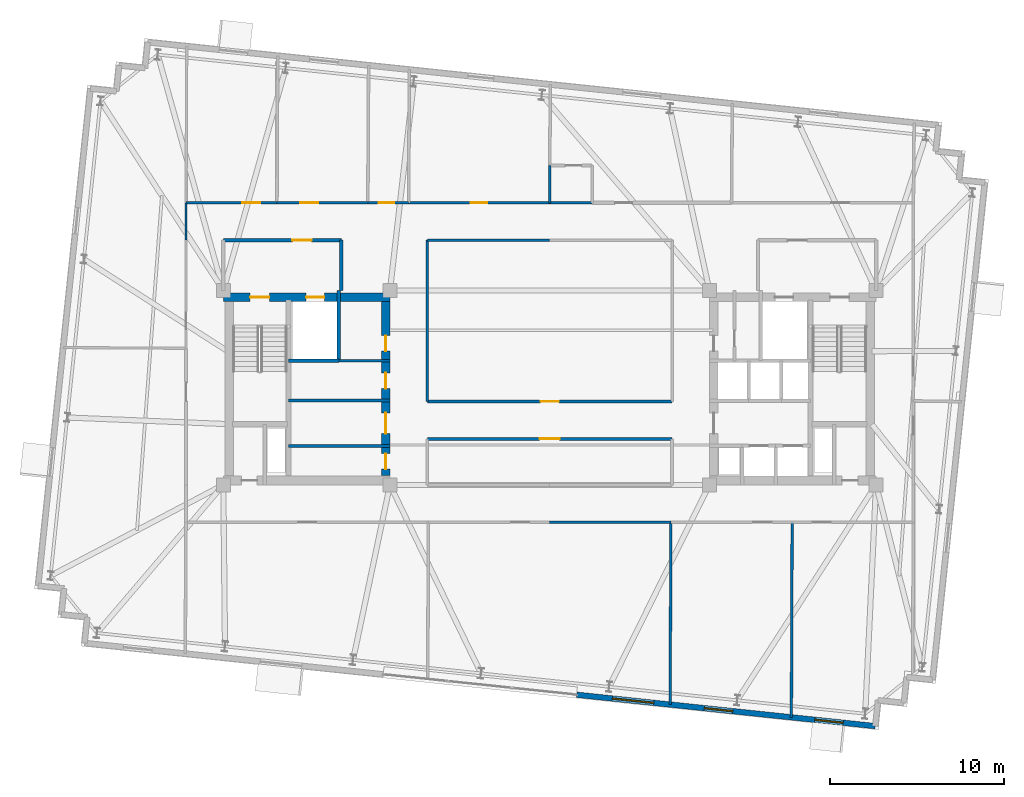
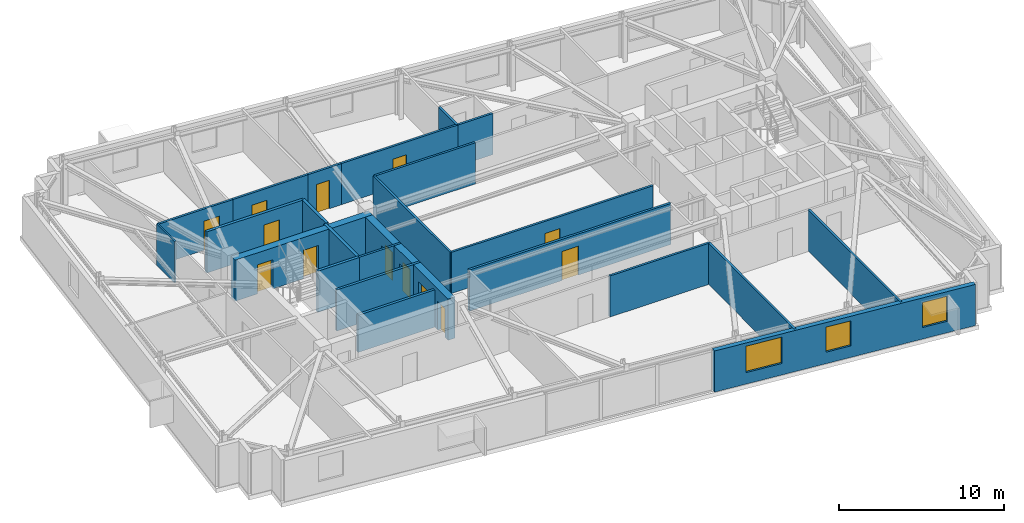
# One storey, part 8 of 13: 24 walls, 13 doors, 3 windows, 16 openings.
"""IFC4 building model written with IfcOpenShell, lengths in metres."""

import ifcopenshell
import ifcopenshell.guid

model = None  # the IFC model being written
_history = None  # IfcOwnerHistory: only IFC2X3 demands one
_inside = {}  # id of a spatial element -> (the spatial element, [elements in it])
_under = {}  # id of a project, library or spatial element -> (it, [spatial elements below it])
_declared = {}  # id of a project -> (the project, [libraries it declares])
_typed = {}  # id of a type object -> (the type object, [elements of that type])
_made_of = {}  # id of a material, layer set ... -> (it, [elements and type objects made of it])


def new_model(schema):
    """Start an empty IFC model of exactly this schema.

    Asked for "IFC4X3", IfcOpenShell would pick the latest addendum, in which some entities
    have other attributes; the version numbers below select the first issue.
    IFC2X3 requires an IfcOwnerHistory on every rooted entity: one is made here for all.
    """
    global model, _history
    if schema == "IFC4X3":
        model = ifcopenshell.file(schema_version=(4, 3, 0, 0))
    else:
        model = ifcopenshell.file(schema=schema)
    _inside.clear()
    _under.clear()
    _declared.clear()
    _typed.clear()
    _made_of.clear()
    _history = None
    if model.schema == "IFC2X3":
        org = make("IfcOrganization", Name="unknown")
        user = make(
            "IfcPersonAndOrganization",
            ThePerson=make("IfcPerson", FamilyName="unknown"),
            TheOrganization=org,
        )
        app = make(
            "IfcApplication",
            ApplicationDeveloper=org,
            Version="unknown",
            ApplicationFullName="unknown",
            ApplicationIdentifier="unknown",
        )
        _history = make(
            "IfcOwnerHistory",
            OwningUser=user,
            OwningApplication=app,
            ChangeAction="ADDED",
            CreationDate=0,
        )
    return model


def make(cls, **values):
    """One entity of the class cls with the attributes given. An attribute that is None is left unset."""
    return model.create_entity(
        cls, **{name: value for name, value in values.items() if value is not None}
    )


def rooted(cls, **values):
    """An entity with a GlobalId (a new one), such as an element, a storey or a relation."""
    return make(cls, GlobalId=ifcopenshell.guid.new(), OwnerHistory=_history, **values)


def si_unit(unit_type, name, prefix=None):
    """IfcSIUnit, for example si_unit("LENGTHUNIT", "METRE", prefix="MILLI")."""
    return make("IfcSIUnit", UnitType=unit_type, Prefix=prefix, Name=name)


def assignment(units):
    """IfcUnitAssignment: the units of a project."""
    return None if units is None else make("IfcUnitAssignment", Units=units)


def point(xyz):
    """IfcCartesianPoint."""
    return None if xyz is None else make("IfcCartesianPoint", Coordinates=xyz)


def direction(xyz):
    """IfcDirection."""
    return None if xyz is None else make("IfcDirection", DirectionRatios=xyz)


def frame(location, z_axis=None, x_axis=None):
    """IfcAxis2Placement3D, a coordinate frame: its origin and axes. An axis left out is left unset."""
    return make(
        "IfcAxis2Placement3D",
        Location=point(location),
        Axis=direction(z_axis),
        RefDirection=direction(x_axis),
    )


def frame_2d(location, x_axis=None):
    """IfcAxis2Placement2D, a coordinate frame in the plane: its origin and x axis."""
    return make(
        "IfcAxis2Placement2D", Location=point(location), RefDirection=direction(x_axis)
    )


def origin():
    """The frame at (0, 0, 0) with its axes left unset."""
    return frame((0.0, 0.0, 0.0))


def place(relative_to, where):
    """IfcLocalPlacement: puts the frame where relative to a parent placement (None: the world)."""
    return make(
        "IfcLocalPlacement", PlacementRelTo=relative_to, RelativePlacement=where
    )


def context(
    kind, dimensions, precision=None, world=None, true_north=None, identifier=None
):
    """IfcGeometricRepresentationContext, for example the 3D "Model" context."""
    return make(
        "IfcGeometricRepresentationContext",
        ContextIdentifier=identifier,
        ContextType=kind,
        CoordinateSpaceDimension=dimensions,
        Precision=precision,
        WorldCoordinateSystem=world,
        TrueNorth=true_north,
    )


def subcontext(parent, identifier, kind, view, scale=None):
    """IfcGeometricRepresentationSubContext, for example "Body" below "Model"."""
    return make(
        "IfcGeometricRepresentationSubContext",
        ContextIdentifier=identifier,
        ContextType=kind,
        ParentContext=parent,
        TargetScale=scale,
        TargetView=view,
    )


def project(units=None, contexts=None):
    """IfcProject with its units and contexts."""
    return rooted(
        "IfcProject",
        Name="project",
        RepresentationContexts=contexts,
        UnitsInContext=assignment(units),
    )


def spatial(cls, under=None, at=None, **own):
    """A site, building, storey or space (cls), placed at a placement, below another one or the project."""
    s = rooted(cls, ObjectPlacement=at, **own)
    if under is not None:
        _under.setdefault(under.id(), (under, []))[1].append(s)
    return s


def profile(cls, at=None, kind="AREA", **sizes):
    """A parametric profile (cls). Its sizes go by their IFC names, for example OverallWidth=200.0."""
    return make(cls, ProfileType=kind, Position=at, **sizes)


def rectangle(**sizes):
    """IfcRectangleProfileDef."""
    return profile("IfcRectangleProfileDef", **sizes)


def extrude(swept, where, along, depth):
    """IfcExtrudedAreaSolid: the profile swept, set in the frame where, extruded along a direction by depth."""
    return make(
        "IfcExtrudedAreaSolid",
        SweptArea=swept,
        Position=where,
        ExtrudedDirection=direction(along),
        Depth=depth,
    )


def shape(context_of_items, identifier, shape_type, items):
    """IfcShapeRepresentation: the items that make up one representation, for example the "Body"."""
    return make(
        "IfcShapeRepresentation",
        ContextOfItems=context_of_items,
        RepresentationIdentifier=identifier,
        RepresentationType=shape_type,
        Items=items,
    )


def material(Name=None, Category=None):
    """IfcMaterial."""
    return make("IfcMaterial", Name=Name, Category=Category)


def layer(
    of_material, thickness, ventilated=None, Name=None, Category=None, Priority=None
):
    """IfcMaterialLayer: one layer of a wall or slab, of a material (None: an air gap)."""
    return make(
        "IfcMaterialLayer",
        Material=of_material,
        LayerThickness=thickness,
        IsVentilated=ventilated,
        Name=Name,
        Category=Category,
        Priority=Priority,
    )


def layer_set(layers, Name=None):
    """IfcMaterialLayerSet."""
    return make("IfcMaterialLayerSet", MaterialLayers=layers, LayerSetName=Name)


def made_of(thing, what):
    """Note that an element or type object is made of a material, layer set ...; save() writes the relation."""
    if what is not None:
        _made_of.setdefault(what.id(), (what, []))[1].append(thing)
    return thing


def type_object(cls, material=None, **own):
    """A type object (cls), such as IfcWallType, which elements share."""
    return made_of(rooted(cls, **own), material)


def element(
    cls,
    number,
    at=None,
    inside=None,
    cuts=None,
    type_object=None,
    material=None,
    context=None,
    identifier="Body",
    shape_type=None,
    held_by="IfcProductDefinitionShape",
    body=None,
    shapes=None,
    **own,
):
    """One element of the class cls, such as IfcWall. Its Tag is "e" and its number.

    at: its placement. inside: the storey or other place that contains it. cuts: it is an
    opening in that element (IfcRelVoidsElement). A single representation is given by context,
    identifier, shape_type and body (its items); several are given by shapes. held_by: the class
    of the entity that holds the representations. save() writes the other relations.
    """
    e = rooted(cls, Tag="e%d" % number, ObjectPlacement=at, **own)
    if body is not None:
        shapes = [shape(context, identifier, shape_type, body)]
    if shapes is not None:
        e.Representation = make(held_by, Representations=shapes)
    if inside is not None:
        _inside.setdefault(inside.id(), (inside, []))[1].append(e)
    if cuts is not None:
        rooted(
            "IfcRelVoidsElement", RelatingBuildingElement=cuts, RelatedOpeningElement=e
        )
    if type_object is not None:
        _typed.setdefault(type_object.id(), (type_object, []))[1].append(e)
    return made_of(e, material)


def fill(opening, filler):
    """IfcRelFillsElement: the door or window that sits in an opening."""
    return rooted(
        "IfcRelFillsElement",
        RelatingOpeningElement=opening,
        RelatedBuildingElement=filler,
    )


def aggregate(whole, parts):
    """IfcRelAggregates: a whole, such as a stair, and the parts it consists of."""
    return rooted("IfcRelAggregates", RelatingObject=whole, RelatedObjects=parts)


def save(model, path):
    """Write the relations noted so far, then the file.

    IfcRelAggregates (storeys below a building ...), IfcRelContainedInSpatialStructure (elements
    in a storey), IfcRelDefinesByType, IfcRelAssociatesMaterial and IfcRelDeclares: one each for
    every whole, place, type object, material and project.
    """
    for whole, parts in _under.values():
        aggregate(whole, parts)
    for where, things in _inside.values():
        rooted(
            "IfcRelContainedInSpatialStructure",
            RelatedElements=things,
            RelatingStructure=where,
        )
    for kind, things in _typed.values():
        rooted("IfcRelDefinesByType", RelatedObjects=things, RelatingType=kind)
    for what, things in _made_of.values():
        rooted("IfcRelAssociatesMaterial", RelatedObjects=things, RelatingMaterial=what)
    for by, libraries in _declared.values():
        rooted("IfcRelDeclares", RelatingContext=by, RelatedDefinitions=libraries)
    model.write(path)


model = new_model("IFC4")

# Units and contexts
model_context = context("Model", 3, precision=1e-05, world=origin(), true_north=direction((0.0, 1.0)))
body_context = subcontext(model_context, "Body", "Model", "MODEL_VIEW")
ifc_project = project(units=[si_unit("LENGTHUNIT", "METRE"), si_unit("AREAUNIT", "SQUARE_METRE"), si_unit("VOLUMEUNIT", "CUBIC_METRE"), si_unit("PLANEANGLEUNIT", "RADIAN"), si_unit("MASSUNIT", "GRAM", prefix="KILO")], contexts=[model_context])

# Site, building, storey
site_placement = place(None, origin())
site = spatial("IfcSite", under=ifc_project, at=site_placement, CompositionType="ELEMENT")
building_placement = place(site_placement, origin())
building = spatial("IfcBuilding", under=site, at=building_placement, Name="Qobustan Lattice House", CompositionType="ELEMENT")
storey_placement = place(building_placement, frame((0.0, 0.0, 199.75)))
storey = spatial("IfcBuildingStorey", under=building, at=storey_placement, Name="L56", CompositionType="ELEMENT", Elevation=199.75)

# Wall, openings, doors
ifc_material_1 = material(Name="Concrete C50/60", Category="concrete")
ifc_layer_1 = layer(ifc_material_1, 0.5)
ifc_layer_set_1 = layer_set([ifc_layer_1], Name="Concrete C50/60")
wall_type_1 = type_object("IfcWallType", Name="WAL-CORE-500", PredefinedType="SHEAR", material=ifc_layer_set_1)
wall_1_placement = place(storey_placement, frame((-18.800048828125, 5.2099609375, 0.0), z_axis=(0.0, 0.0, 1.0), x_axis=(1.0, 0.0, 0.0)))
wall_1 = element("IfcWall", 1, at=wall_1_placement, inside=storey, type_object=wall_type_1, Name="L56 split-core shear wall CW-N", PredefinedType="SHEAR", context=body_context, shape_type="SweptSolid", body=[
    extrude(rectangle(XDim=9.60009765625, YDim=0.5, at=frame_2d((4.800048828125, 0.0))), origin(), (0.0, 0.0, 1.0), 3.0400390625),
])
opening_1_placement = place(wall_1_placement, frame((1.550048828125, 0.0, 0.0)))
opening_1 = element("IfcOpeningElement", 2, at=opening_1_placement, cuts=wall_1, Name="Opening SD-01", PredefinedType="OPENING", context=body_context, shape_type="SweptSolid", body=[
    extrude(rectangle(XDim=1.10009765625, YDim=2.14990234375, at=frame_2d((0.550048828125, 1.074951171875))), frame((0.0, 0.260009765625, 0.0), z_axis=(0.0, -1.0, 0.0), x_axis=(1.0, 0.0, 0.0)), (0.0, 0.0, 1.0), 0.52001953125),
])
opening_2_placement = place(wall_1_placement, frame((4.77490234375, 0.0, 0.0)))
opening_2 = element("IfcOpeningElement", 3, at=opening_2_placement, cuts=wall_1, Name="Opening LD-01", PredefinedType="OPENING", context=body_context, shape_type="SweptSolid", body=[
    extrude(rectangle(XDim=1.050048828125, YDim=2.10009765625, at=frame_2d((0.52490234375, 1.050048828125))), frame((0.0, 0.260009765625, 0.0), z_axis=(0.0, -1.0, 0.0), x_axis=(1.0, 0.0, 0.0)), (0.0, 0.0, 1.0), 0.52001953125),
])
ifc_material_2 = material(Name="Persian walnut timber and steel frame door", Category="steel")
door_type_1 = type_object("IfcDoorType", Name="DOR-LIFT-LD-1050x2100", OperationType="NOTDEFINED", PredefinedType="DOOR", material=ifc_material_2)
door_1_placement = place(opening_2_placement, origin())
door_1 = element("IfcDoor", 4, at=door_1_placement, inside=storey, type_object=door_type_1, Name="L56 firefighting lift FF-W landing door", OperationType="DOUBLE_DOOR_SLIDING", OverallHeight=2.10009765625, OverallWidth=1.050048828125, PredefinedType="DOOR", context=body_context, shape_type="SweptSolid", body=[
    extrude(rectangle(XDim=1.050048828125, YDim=2.10009765625, at=frame_2d((0.52490234375, 1.050048828125))), frame((0.0, 0.02490234375, 0.0), z_axis=(0.0, -1.0, 0.0), x_axis=(1.0, 0.0, 0.0)), (0.0, 0.0, 1.0), 0.050048828125),
])
fill(opening_2, door_1)
ifc_material_3 = material(Name="Persian walnut timber and steel frame door", Category="steel")
door_type_2 = type_object("IfcDoorType", Name="DOR-STAIR-FD-1100x2150", OperationType="NOTDEFINED", PredefinedType="DOOR", material=ifc_material_3)
door_2_placement = place(opening_1_placement, origin())
door_2 = element("IfcDoor", 5, at=door_2_placement, inside=storey, type_object=door_type_2, Name="L56 exit stair ST-W1 fire door", OperationType="SINGLE_SWING_RIGHT", OverallHeight=2.14990234375, OverallWidth=1.10009765625, PredefinedType="DOOR", context=body_context, shape_type="SweptSolid", body=[
    extrude(rectangle(XDim=1.10009765625, YDim=2.14990234375, at=frame_2d((0.550048828125, 1.074951171875))), frame((0.0, 0.02490234375, 0.0), z_axis=(0.0, -1.0, 0.0), x_axis=(1.0, 0.0, 0.0)), (0.0, 0.0, 1.0), 0.050048828125),
])
fill(opening_1, door_2)

wall_2_placement = place(storey_placement, frame((-9.449951171875, -5.050048828125, 0.0), z_axis=(0.0, 0.0, 1.0), x_axis=(0.0, 1.0, 0.0)))
wall_2 = element("IfcWall", 6, at=wall_2_placement, inside=storey, type_object=wall_type_1, Name="L56 split-core shear wall CW-E", PredefinedType="SHEAR", context=body_context, shape_type="SweptSolid", body=[
    extrude(rectangle(XDim=10.10009765625, YDim=0.5, at=frame_2d((5.050048828125, 0.0))), origin(), (0.0, 0.0, 1.0), 3.0400390625),
])
opening_3_placement = place(wall_2_placement, frame((7.14990234375, 0.0, 0.0)))
opening_3 = element("IfcOpeningElement", 7, at=opening_3_placement, cuts=wall_2, Name="Opening RD-01", PredefinedType="OPENING", context=body_context, shape_type="SweptSolid", body=[
    extrude(rectangle(XDim=0.89990234375, YDim=2.10009765625, at=frame_2d((0.449951171875, 1.050048828125))), frame((0.0, 0.260009765625, 0.0), z_axis=(0.0, -1.0, 0.0), x_axis=(1.0, 0.0, 0.0)), (0.0, 0.0, 1.0), 0.52001953125),
])
opening_4_placement = place(wall_2_placement, frame((2.39990234375, 0.0, 0.0)))
opening_4 = element("IfcOpeningElement", 8, at=opening_4_placement, cuts=wall_2, Name="Opening FD-01", PredefinedType="OPENING", context=body_context, shape_type="SweptSolid", body=[
    extrude(rectangle(XDim=1.199951171875, YDim=2.14990234375, at=frame_2d((0.60009765625, 1.074951171875))), frame((0.0, 0.260009765625, 0.0), z_axis=(0.0, -1.0, 0.0), x_axis=(1.0, 0.0, 0.0)), (0.0, 0.0, 1.0), 0.52001953125),
])
opening_5_placement = place(wall_2_placement, frame((0.35009765625, 0.0, 0.0)))
opening_5 = element("IfcOpeningElement", 9, at=opening_5_placement, cuts=wall_2, Name="Opening RD-01", PredefinedType="OPENING", context=body_context, shape_type="SweptSolid", body=[
    extrude(rectangle(XDim=0.89990234375, YDim=2.10009765625, at=frame_2d((0.449951171875, 1.050048828125))), frame((0.0, 0.260009765625, 0.0), z_axis=(0.0, -1.0, 0.0), x_axis=(1.0, 0.0, 0.0)), (0.0, 0.0, 1.0), 0.52001953125),
])
opening_6_placement = place(wall_2_placement, frame((5.0, 0.0, 0.0)))
opening_6 = element("IfcOpeningElement", 10, at=opening_6_placement, cuts=wall_2, Name="Opening RD-01", PredefinedType="OPENING", context=body_context, shape_type="SweptSolid", body=[
    extrude(rectangle(XDim=0.89990234375, YDim=2.10009765625, at=frame_2d((0.449951171875, 1.050048828125))), frame((0.0, 0.260009765625, 0.0), z_axis=(0.0, -1.0, 0.0), x_axis=(1.0, 0.0, 0.0)), (0.0, 0.0, 1.0), 0.52001953125),
])
ifc_material_4 = material(Name="Persian walnut timber and steel frame door", Category="steel")
door_type_3 = type_object("IfcDoorType", Name="DOR-LOBBY-FD-1200x2150", OperationType="NOTDEFINED", PredefinedType="DOOR", material=ifc_material_4)
door_3_placement = place(opening_4_placement, origin())
door_3 = element("IfcDoor", 11, at=door_3_placement, inside=storey, type_object=door_type_3, Name="L56 West core foyer fire door", OperationType="SINGLE_SWING_RIGHT", OverallHeight=2.14990234375, OverallWidth=1.199951171875, PredefinedType="DOOR", context=body_context, shape_type="SweptSolid", body=[
    extrude(rectangle(XDim=1.199951171875, YDim=2.14990234375, at=frame_2d((0.60009765625, 1.074951171875))), frame((0.0, 0.02490234375, 0.0), z_axis=(0.0, -1.0, 0.0), x_axis=(1.0, 0.0, 0.0)), (0.0, 0.0, 1.0), 0.050048828125),
])
fill(opening_4, door_3)
ifc_material_5 = material(Name="Persian walnut timber and steel frame door", Category="steel")
door_type_4 = type_object("IfcDoorType", Name="DOR-RISER-FD-900x2100", OperationType="NOTDEFINED", PredefinedType="DOOR", material=ifc_material_5)
door_4_placement = place(opening_3_placement, origin())
door_4 = element("IfcDoor", 12, at=door_4_placement, inside=storey, type_object=door_type_4, Name="L56 Floor tea pantry fire door", OperationType="SINGLE_SWING_LEFT", OverallHeight=2.10009765625, OverallWidth=0.89990234375, PredefinedType="DOOR", context=body_context, shape_type="SweptSolid", body=[
    extrude(rectangle(XDim=0.89990234375, YDim=2.10009765625, at=frame_2d((0.449951171875, 1.050048828125))), frame((0.0, 0.02490234375, 0.0), z_axis=(0.0, -1.0, 0.0), x_axis=(1.0, 0.0, 0.0)), (0.0, 0.0, 1.0), 0.050048828125),
])
fill(opening_3, door_4)
door_5_placement = place(opening_5_placement, origin())
door_5 = element("IfcDoor", 13, at=door_5_placement, inside=storey, type_object=door_type_4, Name="L56 Tutorial seminar salon fire door", OperationType="SINGLE_SWING_LEFT", OverallHeight=2.10009765625, OverallWidth=0.89990234375, PredefinedType="DOOR", context=body_context, shape_type="SweptSolid", body=[
    extrude(rectangle(XDim=0.89990234375, YDim=2.10009765625, at=frame_2d((0.449951171875, 1.050048828125))), frame((0.0, 0.02490234375, 0.0), z_axis=(0.0, -1.0, 0.0), x_axis=(1.0, 0.0, 0.0)), (0.0, 0.0, 1.0), 0.050048828125),
])
fill(opening_5, door_5)
door_6_placement = place(opening_6_placement, origin())
door_6 = element("IfcDoor", 14, at=door_6_placement, inside=storey, type_object=door_type_4, Name="L56 Copy and tea hub fire door", OperationType="SINGLE_SWING_RIGHT", OverallHeight=2.10009765625, OverallWidth=0.89990234375, PredefinedType="DOOR", context=body_context, shape_type="SweptSolid", body=[
    extrude(rectangle(XDim=0.89990234375, YDim=2.10009765625, at=frame_2d((0.449951171875, 1.050048828125))), frame((0.0, 0.02490234375, 0.0), z_axis=(0.0, -1.0, 0.0), x_axis=(1.0, 0.0, 0.0)), (0.0, 0.0, 1.0), 0.050048828125),
])
fill(opening_6, door_6)

# Wall, openings, windows
ifc_material_6 = material(Name="Precast concrete C40/50", Category="concrete")
ifc_layer_2 = layer(ifc_material_6, 0.320068359375)
ifc_layer_set_2 = layer_set([ifc_layer_2], Name="Precast concrete C40/50")
wall_type_2 = type_object("IfcWallType", Name="WAL-EXT-STONE-320", PredefinedType="SOLIDWALL", material=ifc_layer_set_2)
wall_3_placement = place(storey_placement, frame((18.755859375, -19.498291015625, 0.0), z_axis=(0.0, 0.0, 1.0), x_axis=(-0.994523378108, 0.104514354977, 0.0)))
wall_3 = element("IfcWall", 15, at=wall_3_placement, inside=storey, type_object=wall_type_2, Name="L56 iwan flank stone wall A", PredefinedType="SOLIDWALL", context=body_context, shape_type="SweptSolid", body=[
    extrude(rectangle(XDim=17.300048828125, YDim=0.320068359375, at=frame_2d((8.64990234375, 0.0))), origin(), (0.0, 0.0, 1.0), 3.0400390625),
])
opening_7_placement = place(wall_3_placement, frame((1.858154296875, 0.0, 0.85009765625)))
opening_7 = element("IfcOpeningElement", 16, at=opening_7_placement, cuts=wall_3, Name="Opening WN-09", PredefinedType="OPENING", context=body_context, shape_type="SweptSolid", body=[
    extrude(rectangle(XDim=1.64990234375, YDim=1.85009765625, at=frame_2d((0.824951171875, 0.925048828125))), frame((0.0, 0.169921875, 0.0), z_axis=(0.0, -1.0, 0.0), x_axis=(1.0, 0.0, 0.0)), (0.0, 0.0, 1.0), 0.340087890625),
])
opening_8_placement = place(wall_3_placement, frame((8.259521484375, 0.0, 0.85009765625)))
opening_8 = element("IfcOpeningElement", 17, at=opening_8_placement, cuts=wall_3, Name="Opening WN-09", PredefinedType="OPENING", context=body_context, shape_type="SweptSolid", body=[
    extrude(rectangle(XDim=1.64990234375, YDim=1.85009765625, at=frame_2d((0.824951171875, 0.925048828125))), frame((0.0, 0.169921875, 0.0), z_axis=(0.0, -1.0, 0.0), x_axis=(1.0, 0.0, 0.0)), (0.0, 0.0, 1.0), 0.340087890625),
])
opening_9_placement = place(wall_3_placement, frame((12.825439453125, 0.0, 0.85009765625)))
opening_9 = element("IfcOpeningElement", 18, at=opening_9_placement, cuts=wall_3, Name="Opening WN-10", PredefinedType="OPENING", context=body_context, shape_type="SweptSolid", body=[
    extrude(rectangle(XDim=2.39990234375, YDim=1.949951171875, at=frame_2d((1.199951171875, 0.97509765625))), frame((0.0, 0.169921875, 0.0), z_axis=(0.0, -1.0, 0.0), x_axis=(1.0, 0.0, 0.0)), (0.0, 0.0, 1.0), 0.340087890625),
])
ifc_material_7 = material(Name="Double-glazed low-E aluminium window", Category="aluminium")
window_type_1 = type_object("IfcWindowType", Name="WIN-LNG-2400x1950", PartitioningType="SINGLE_PANEL", PredefinedType="WINDOW", material=ifc_material_7)
window_1_placement = place(opening_9_placement, origin())
window_1 = element("IfcWindow", 19, at=window_1_placement, inside=storey, type_object=window_type_1, Name="L56 Walnut iwan sky lounge S2 window", OverallHeight=1.949951171875, OverallWidth=2.39990234375, PartitioningType="SINGLE_PANEL", PredefinedType="WINDOW", context=body_context, shape_type="SweptSolid", body=[
    extrude(rectangle(XDim=2.39990234375, YDim=1.949951171875, at=frame_2d((1.199951171875, 0.97509765625))), frame((0.0, 0.030029296875, 0.0), z_axis=(0.0, -1.0, 0.0), x_axis=(1.0, 0.0, 0.0)), (0.0, 0.0, 1.0), 0.06005859375),
])
fill(opening_9, window_1)
ifc_material_8 = material(Name="Double-glazed low-E aluminium window", Category="aluminium")
window_type_2 = type_object("IfcWindowType", Name="WIN-STU-1650x1850", PartitioningType="SINGLE_PANEL", PredefinedType="WINDOW", material=ifc_material_8)
window_2_placement = place(opening_7_placement, origin())
window_2 = element("IfcWindow", 20, at=window_2_placement, inside=storey, type_object=window_type_2, Name="L56 Academic seminar room window", OverallHeight=1.85009765625, OverallWidth=1.64990234375, PartitioningType="SINGLE_PANEL", PredefinedType="WINDOW", context=body_context, shape_type="SweptSolid", body=[
    extrude(rectangle(XDim=1.64990234375, YDim=1.85009765625, at=frame_2d((0.824951171875, 0.925048828125))), frame((0.0, 0.030029296875, 0.0), z_axis=(0.0, -1.0, 0.0), x_axis=(1.0, 0.0, 0.0)), (0.0, 0.0, 1.0), 0.06005859375),
])
fill(opening_7, window_2)
window_3_placement = place(opening_8_placement, origin())
window_3 = element("IfcWindow", 21, at=window_3_placement, inside=storey, type_object=window_type_2, Name="L56 Group study room window", OverallHeight=1.85009765625, OverallWidth=1.64990234375, PartitioningType="SINGLE_PANEL", PredefinedType="WINDOW", context=body_context, shape_type="SweptSolid", body=[
    extrude(rectangle(XDim=1.64990234375, YDim=1.85009765625, at=frame_2d((0.824951171875, 0.925048828125))), frame((0.0, 0.030029296875, 0.0), z_axis=(0.0, -1.0, 0.0), x_axis=(1.0, 0.0, 0.0)), (0.0, 0.0, 1.0), 0.06005859375),
])
fill(opening_8, window_3)

# Walls
ifc_material_9 = material(Name="Gypsum fireboard acoustic partition", Category="gypsum")
ifc_layer_3 = layer(ifc_material_9, 0.179931640625)
ifc_layer_set_3 = layer_set([ifc_layer_3], Name="Gypsum fireboard acoustic partition")
wall_type_3 = type_object("IfcWallType", Name="WAL-FIRE-180", PredefinedType="PARTITIONING", material=ifc_layer_set_3)
wall_4_placement = place(storey_placement, frame((-15.050048828125, -3.35009765625, 0.0), z_axis=(0.0, 0.0, 1.0), x_axis=(1.0, 0.0, 0.0)))
element("IfcWall", 22, at=wall_4_placement, inside=storey, type_object=wall_type_3, Name="L56 interior partition 8", PredefinedType="PARTITIONING", context=body_context, shape_type="SweptSolid", body=[
    extrude(rectangle(XDim=5.85009765625, YDim=0.179931640625, at=frame_2d((2.925048828125, 0.0))), origin(), (0.0, 0.0, 1.0), 2.7548828125),
])
wall_5_placement = place(storey_placement, frame((-9.199951171875, -0.75, 0.0), z_axis=(0.0, 0.0, 1.0), x_axis=(-1.0, 0.0, 0.0)))
element("IfcWall", 23, at=wall_5_placement, inside=storey, type_object=wall_type_3, Name="L56 interior partition 9", PredefinedType="PARTITIONING", context=body_context, shape_type="SweptSolid", body=[
    extrude(rectangle(XDim=5.85009765625, YDim=0.179931640625, at=frame_2d((2.925048828125, 0.0))), origin(), (0.0, 0.0, 1.0), 3.0400390625),
])
ifc_material_10 = material(Name="Lightweight acoustic stud partition", Category="gypsum")
ifc_layer_4 = layer(ifc_material_10, 0.125)
ifc_layer_set_4 = layer_set([ifc_layer_4], Name="Lightweight acoustic stud partition")
wall_type_4 = type_object("IfcWallType", Name="WAL-PART-125", PredefinedType="PARTITIONING", material=ifc_layer_set_4)
wall_6_placement = place(storey_placement, frame((-20.949951171875, 8.5, 0.0), z_axis=(0.0, 0.0, 1.0), x_axis=(0.0, 1.0, 0.0)))
element("IfcWall", 24, at=wall_6_placement, inside=storey, type_object=wall_type_4, Name="L56 interior partition 31", PredefinedType="PARTITIONING", context=body_context, shape_type="SweptSolid", body=[
    extrude(rectangle(XDim=2.14990234375, YDim=0.125, at=frame_2d((1.074951171875, 0.0))), origin(), (0.0, 0.0, 1.0), 3.0400390625),
])
ifc_material_11 = material(Name="Acoustic twin-stud gypsum partition", Category="gypsum")
ifc_layer_5 = layer(ifc_material_11, 0.14990234375)
ifc_layer_set_5 = layer_set([ifc_layer_5], Name="Acoustic twin-stud gypsum partition")
wall_type_5 = type_object("IfcWallType", Name="WAL-PART-150", PredefinedType="PARTITIONING", material=ifc_layer_set_5)
wall_7_placement = place(storey_placement, frame((-12.14990234375, 1.550048828125, 0.0), z_axis=(0.0, 0.0, 1.0), x_axis=(1.0, 0.0, 0.0)))
element("IfcWall", 25, at=wall_7_placement, inside=storey, type_object=wall_type_5, Name="L56 interior partition 6", PredefinedType="PARTITIONING", context=body_context, shape_type="SweptSolid", body=[
    extrude(rectangle(XDim=2.949951171875, YDim=0.14990234375, at=frame_2d((1.47509765625, 0.0))), origin(), (0.0, 0.0, 1.0), 3.0400390625),
])

# Wall, opening, door
wall_8_placement = place(storey_placement, frame((-20.949951171875, 10.64990234375, 0.0), z_axis=(0.0, 0.0, 1.0), x_axis=(1.0, 0.0, 0.0)))
wall_8 = element("IfcWall", 26, at=wall_8_placement, inside=storey, type_object=wall_type_5, Name="L56 interior partition 32", PredefinedType="PARTITIONING", context=body_context, shape_type="SweptSolid", body=[
    extrude(rectangle(XDim=5.237548828125, YDim=0.14990234375, at=frame_2d((2.61865234375, 0.0))), origin(), (0.0, 0.0, 1.0), 3.0400390625),
])
opening_10_placement = place(wall_8_placement, frame((3.22900390625, 0.0, 0.0)))
opening_10 = element("IfcOpeningElement", 27, at=opening_10_placement, cuts=wall_8, Name="Opening ID-02", PredefinedType="OPENING", context=body_context, shape_type="SweptSolid", body=[
    extrude(rectangle(XDim=1.050048828125, YDim=2.14990234375, at=frame_2d((0.52490234375, 1.074951171875))), frame((0.0, 0.0849609375, 0.0), z_axis=(0.0, -1.0, 0.0), x_axis=(1.0, 0.0, 0.0)), (0.0, 0.0, 1.0), 0.169921875),
])
ifc_material_12 = material(Name="Persian walnut timber and steel frame door", Category="steel")
door_type_5 = type_object("IfcDoorType", Name="DOR-STUDY-1050x2150", OperationType="NOTDEFINED", PredefinedType="DOOR", material=ifc_material_12)
door_7_placement = place(opening_10_placement, origin())
door_7 = element("IfcDoor", 28, at=door_7_placement, inside=storey, type_object=door_type_5, Name="L56 North-west floor corridor to Focus study room N1A door", OperationType="SINGLE_SWING_LEFT", OverallHeight=2.14990234375, OverallWidth=1.050048828125, PredefinedType="DOOR", context=body_context, shape_type="SweptSolid", body=[
    extrude(rectangle(XDim=1.050048828125, YDim=2.14990234375, at=frame_2d((0.52490234375, 1.074951171875))), frame((0.0, 0.02490234375, 0.0), z_axis=(0.0, -1.0, 0.0), x_axis=(1.0, 0.0, 0.0)), (0.0, 0.0, 1.0), 0.050048828125),
])
fill(opening_10, door_7)

wall_9_placement = place(storey_placement, frame((-15.71240234375, 10.64990234375, 0.0), z_axis=(0.0, 0.0, 1.0), x_axis=(1.0, 0.0, 0.0)))
wall_9 = element("IfcWall", 29, at=wall_9_placement, inside=storey, type_object=wall_type_5, Name="L56 interior partition 33", PredefinedType="PARTITIONING", context=body_context, shape_type="SweptSolid", body=[
    extrude(rectangle(XDim=5.2373046875, YDim=0.14990234375, at=frame_2d((2.61865234375, 0.0))), origin(), (0.0, 0.0, 1.0), 3.0400390625),
])
opening_11_placement = place(wall_9_placement, frame((1.3369140625, 0.0, 0.0)))
opening_11 = element("IfcOpeningElement", 30, at=opening_11_placement, cuts=wall_9, Name="Opening ID-02", PredefinedType="OPENING", context=body_context, shape_type="SweptSolid", body=[
    extrude(rectangle(XDim=1.050048828125, YDim=2.14990234375, at=frame_2d((0.52490234375, 1.074951171875))), frame((0.0, 0.0849609375, 0.0), z_axis=(0.0, -1.0, 0.0), x_axis=(1.0, 0.0, 0.0)), (0.0, 0.0, 1.0), 0.169921875),
])
door_8_placement = place(opening_11_placement, origin())
door_8 = element("IfcDoor", 31, at=door_8_placement, inside=storey, type_object=door_type_5, Name="L56 North-west floor corridor to Focus study room N1B door", OperationType="SINGLE_SWING_RIGHT", OverallHeight=2.14990234375, OverallWidth=1.050048828125, PredefinedType="DOOR", context=body_context, shape_type="SweptSolid", body=[
    extrude(rectangle(XDim=1.050048828125, YDim=2.14990234375, at=frame_2d((0.52490234375, 1.074951171875))), frame((0.0, 0.02490234375, 0.0), z_axis=(0.0, -1.0, 0.0), x_axis=(1.0, 0.0, 0.0)), (0.0, 0.0, 1.0), 0.050048828125),
])
fill(opening_11, door_8)

wall_10_placement = place(storey_placement, frame((-8.125, 10.64990234375, 0.0), z_axis=(0.0, 0.0, 1.0), x_axis=(1.0, 0.0, 0.0)))
wall_10 = element("IfcWall", 32, at=wall_10_placement, inside=storey, type_object=wall_type_5, Name="L56 interior partition 35", PredefinedType="PARTITIONING", context=body_context, shape_type="SweptSolid", body=[
    extrude(rectangle(XDim=8.125, YDim=0.14990234375, at=frame_2d((4.0625, 0.0))), origin(), (0.0, 0.0, 1.0), 3.0400390625),
])
opening_12_placement = place(wall_10_placement, frame((3.58740234375, 0.0, 0.0)))
opening_12 = element("IfcOpeningElement", 33, at=opening_12_placement, cuts=wall_10, Name="Opening ID-01", PredefinedType="OPENING", context=body_context, shape_type="SweptSolid", body=[
    extrude(rectangle(XDim=0.949951171875, YDim=2.10009765625, at=frame_2d((0.47509765625, 1.050048828125))), frame((0.0, 0.0849609375, 0.0), z_axis=(0.0, -1.0, 0.0), x_axis=(1.0, 0.0, 0.0)), (0.0, 0.0, 1.0), 0.169921875),
])
ifc_material_13 = material(Name="Persian walnut timber and steel frame door", Category="steel")
door_type_6 = type_object("IfcDoorType", Name="DOR-ROOM-950x2100", OperationType="NOTDEFINED", PredefinedType="DOOR", material=ifc_material_13)
door_9_placement = place(opening_12_placement, origin())
door_9 = element("IfcDoor", 34, at=door_9_placement, inside=storey, type_object=door_type_6, Name="L56 North-west floor corridor to Laundry utility room door", OperationType="SINGLE_SWING_RIGHT", OverallHeight=2.10009765625, OverallWidth=0.949951171875, PredefinedType="DOOR", context=body_context, shape_type="SweptSolid", body=[
    extrude(rectangle(XDim=0.949951171875, YDim=2.10009765625, at=frame_2d((0.47509765625, 1.050048828125))), frame((0.0, 0.02490234375, 0.0), z_axis=(0.0, -1.0, 0.0), x_axis=(1.0, 0.0, 0.0)), (0.0, 0.0, 1.0), 0.050048828125),
])
fill(opening_12, door_9)

# Walls
wall_11_placement = place(storey_placement, frame((0.0, 8.5, 0.0), z_axis=(0.0, 0.0, 1.0), x_axis=(-1.0, 0.0, 0.0)))
element("IfcWall", 35, at=wall_11_placement, inside=storey, type_object=wall_type_5, Name="L56 interior partition 36", PredefinedType="PARTITIONING", context=body_context, shape_type="SweptSolid", body=[
    extrude(rectangle(XDim=7.050048828125, YDim=0.14990234375, at=frame_2d((3.52490234375, 0.0))), origin(), (0.0, 0.0, 1.0), 3.0400390625),
])
wall_12_placement = place(storey_placement, frame((6.98291015625, -7.75, 0.0), z_axis=(0.0, 0.0, 1.0), x_axis=(-1.0, 0.0, 0.0)))
element("IfcWall", 36, at=wall_12_placement, inside=storey, type_object=wall_type_5, Name="L56 interior partition 47", PredefinedType="PARTITIONING", context=body_context, shape_type="SweptSolid", body=[
    extrude(rectangle(XDim=6.98291015625, YDim=0.14990234375, at=frame_2d((3.491455078125, 0.0))), origin(), (0.0, 0.0, 1.0), 3.0400390625),
])

# Wall, opening, door
wall_13_placement = place(storey_placement, frame((-7.050048828125, -0.800048828125, 0.0), z_axis=(0.0, 0.0, 1.0), x_axis=(1.0, 0.0, 0.0)))
wall_13 = element("IfcWall", 37, at=wall_13_placement, inside=storey, type_object=wall_type_5, Name="L56 interior partition 55", PredefinedType="PARTITIONING", context=body_context, shape_type="SweptSolid", body=[
    extrude(rectangle(XDim=14.10009765625, YDim=0.14990234375, at=frame_2d((7.050048828125, 0.0))), origin(), (0.0, 0.0, 1.0), 3.0400390625),
])
opening_13_placement = place(wall_13_placement, frame((6.52490234375, 0.0, 0.0)))
opening_13 = element("IfcOpeningElement", 38, at=opening_13_placement, cuts=wall_13, Name="Opening ID-02", PredefinedType="OPENING", context=body_context, shape_type="SweptSolid", body=[
    extrude(rectangle(XDim=1.050048828125, YDim=2.14990234375, at=frame_2d((0.52490234375, 1.074951171875))), frame((0.0, 0.0849609375, 0.0), z_axis=(0.0, -1.0, 0.0), x_axis=(1.0, 0.0, 0.0)), (0.0, 0.0, 1.0), 0.169921875),
])
door_10_placement = place(opening_13_placement, origin())
door_10 = element("IfcDoor", 39, at=door_10_placement, inside=storey, type_object=door_type_5, Name="L56 Central spine corridor to Central study commons door", OperationType="SINGLE_SWING_LEFT", OverallHeight=2.14990234375, OverallWidth=1.050048828125, PredefinedType="DOOR", context=body_context, shape_type="SweptSolid", body=[
    extrude(rectangle(XDim=1.050048828125, YDim=2.14990234375, at=frame_2d((0.52490234375, 1.074951171875))), frame((0.0, 0.02490234375, 0.0), z_axis=(0.0, -1.0, 0.0), x_axis=(1.0, 0.0, 0.0)), (0.0, 0.0, 1.0), 0.050048828125),
])
fill(opening_13, door_10)

# Walls
wall_14_placement = place(storey_placement, frame((-7.050048828125, 8.5, 0.0), z_axis=(0.0, 0.0, 1.0), x_axis=(0.0, -1.0, 0.0)))
element("IfcWall", 40, at=wall_14_placement, inside=storey, type_object=wall_type_5, Name="L56 interior partition 57", PredefinedType="PARTITIONING", context=body_context, shape_type="SweptSolid", body=[
    extrude(rectangle(XDim=9.300048828125, YDim=0.14990234375, at=frame_2d((4.64990234375, 0.0))), origin(), (0.0, 0.0, 1.0), 3.0400390625),
])
wall_15_placement = place(storey_placement, frame((6.98291015625, -7.75, 0.0), z_axis=(0.0, 0.0, 1.0), x_axis=(-0.004159465807, -0.999991349385, 0.0)))
element("IfcWall", 41, at=wall_15_placement, inside=storey, type_object=wall_type_5, Name="L56 interior partition 76", PredefinedType="PARTITIONING", context=body_context, shape_type="SweptSolid", body=[
    extrude(rectangle(XDim=10.50634765625, YDim=0.14990234375, at=frame_2d((5.253173828125, 0.0))), origin(), (0.0, 0.0, 1.0), 3.0400390625),
])
wall_16_placement = place(storey_placement, frame((13.966552734375, -7.75, 0.0), z_axis=(0.0, 0.0, 1.0), x_axis=(-0.003909528994, -0.999992357762, 0.0)))
element("IfcWall", 42, at=wall_16_placement, inside=storey, type_object=wall_type_5, Name="L56 interior partition 77", PredefinedType="PARTITIONING", context=body_context, shape_type="SweptSolid", body=[
    extrude(rectangle(XDim=11.240478515625, YDim=0.14990234375, at=frame_2d((5.6201171875, 0.0))), origin(), (0.0, 0.0, 1.0), 3.0400390625),
])

# Wall, opening, door
ifc_material_14 = material(Name="High-mass acoustic twin-stud partition", Category="gypsum")
ifc_layer_6 = layer(ifc_material_14, 0.1650390625)
ifc_layer_set_6 = layer_set([ifc_layer_6], Name="High-mass acoustic twin-stud partition")
wall_type_6 = type_object("IfcWallType", Name="WAL-PART-165", PredefinedType="PARTITIONING", material=ifc_layer_set_6)
wall_17_placement = place(storey_placement, frame((7.050048828125, -2.949951171875, 0.0), z_axis=(0.0, 0.0, 1.0), x_axis=(-1.0, 0.0, 0.0)))
wall_17 = element("IfcWall", 43, at=wall_17_placement, inside=storey, type_object=wall_type_6, Name="L56 interior partition 56", PredefinedType="PARTITIONING", context=body_context, shape_type="SweptSolid", body=[
    extrude(rectangle(XDim=14.10009765625, YDim=0.1650390625, at=frame_2d((7.050048828125, 0.0))), origin(), (0.0, 0.0, 1.0), 3.0400390625),
])
opening_14_placement = place(wall_17_placement, frame((6.47509765625, 0.0, 0.0)))
opening_14 = element("IfcOpeningElement", 44, at=opening_14_placement, cuts=wall_17, Name="Opening ID-03", PredefinedType="OPENING", context=body_context, shape_type="SweptSolid", body=[
    extrude(rectangle(XDim=1.14990234375, YDim=2.14990234375, at=frame_2d((0.574951171875, 1.074951171875))), frame((0.0, 0.092529296875, 0.0), z_axis=(0.0, -1.0, 0.0), x_axis=(1.0, 0.0, 0.0)), (0.0, 0.0, 1.0), 0.18505859375),
])
ifc_material_15 = material(Name="Persian walnut timber and steel frame door", Category="steel")
door_type_7 = type_object("IfcDoorType", Name="DOR-KITCH-1150x2150", OperationType="NOTDEFINED", PredefinedType="DOOR", material=ifc_material_15)
door_11_placement = place(opening_14_placement, origin())
door_11 = element("IfcDoor", 45, at=door_11_placement, inside=storey, type_object=door_type_7, Name="L56 Central spine corridor to Shared kitchen and tea room door", OperationType="SINGLE_SWING_RIGHT", OverallHeight=2.14990234375, OverallWidth=1.14990234375, PredefinedType="DOOR", context=body_context, shape_type="SweptSolid", body=[
    extrude(rectangle(XDim=1.14990234375, YDim=2.14990234375, at=frame_2d((0.574951171875, 1.074951171875))), frame((0.0, 0.02490234375, 0.0), z_axis=(0.0, -1.0, 0.0), x_axis=(1.0, 0.0, 0.0)), (0.0, 0.0, 1.0), 0.050048828125),
])
fill(opening_14, door_11)

ifc_material_16 = material(Name="Two-hour gypsum fireboard acoustic partition", Category="gypsum")
ifc_layer_7 = layer(ifc_material_16, 0.199951171875)
ifc_layer_set_7 = layer_set([ifc_layer_7], Name="Two-hour gypsum fireboard acoustic partition")
wall_type_7 = type_object("IfcWallType", Name="WAL-PROT-200", PredefinedType="PARTITIONING", material=ifc_layer_set_7)
wall_18_placement = place(storey_placement, frame((-12.0, 8.5, 0.0), z_axis=(0.0, 0.0, 1.0), x_axis=(-1.0, 0.0, 0.0)))
wall_18 = element("IfcWall", 46, at=wall_18_placement, inside=storey, type_object=wall_type_7, Name="L56 interior partition 3", PredefinedType="PARTITIONING", context=body_context, shape_type="SweptSolid", body=[
    extrude(rectangle(XDim=6.800048828125, YDim=0.199951171875, at=frame_2d((3.39990234375, 0.0))), origin(), (0.0, 0.0, 1.0), 3.0400390625),
])
opening_15_placement = place(wall_18_placement, frame((1.715087890625, 0.0, 0.0)))
opening_15 = element("IfcOpeningElement", 47, at=opening_15_placement, cuts=wall_18, Name="Opening SD-01", PredefinedType="OPENING", context=body_context, shape_type="SweptSolid", body=[
    extrude(rectangle(XDim=1.10009765625, YDim=2.14990234375, at=frame_2d((0.550048828125, 1.074951171875))), frame((0.0, 0.10986328125, 0.0), z_axis=(0.0, -1.0, 0.0), x_axis=(1.0, 0.0, 0.0)), (0.0, 0.0, 1.0), 0.219970703125),
])
door_12_placement = place(opening_15_placement, origin())
door_12 = element("IfcDoor", 48, at=door_12_placement, inside=storey, type_object=door_type_2, Name="L56 West firefighting lift lobby to North-west floor corridor door", OperationType="SINGLE_SWING_RIGHT", OverallHeight=2.14990234375, OverallWidth=1.10009765625, PredefinedType="DOOR", context=body_context, shape_type="SweptSolid", body=[
    extrude(rectangle(XDim=1.10009765625, YDim=2.14990234375, at=frame_2d((0.550048828125, 1.074951171875))), frame((0.0, 0.02490234375, 0.0), z_axis=(0.0, -1.0, 0.0), x_axis=(1.0, 0.0, 0.0)), (0.0, 0.0, 1.0), 0.050048828125),
])
fill(opening_15, door_12)

# Walls
wall_19_placement = place(storey_placement, frame((-12.0, 5.60009765625, 0.0), z_axis=(0.0, 0.0, 1.0), x_axis=(0.0, 1.0, 0.0)))
element("IfcWall", 49, at=wall_19_placement, inside=storey, type_object=wall_type_7, Name="L56 interior partition 5", PredefinedType="PARTITIONING", context=body_context, shape_type="SweptSolid", body=[
    extrude(rectangle(XDim=2.89990234375, YDim=0.199951171875, at=frame_2d((1.449951171875, 0.0))), origin(), (0.0, 0.0, 1.0), 3.0400390625),
])
ifc_material_17 = material(Name="Concrete C40/50", Category="concrete")
ifc_layer_8 = layer(ifc_material_17, 0.199951171875)
ifc_layer_set_8 = layer_set([ifc_layer_8], Name="Concrete C40/50")
wall_type_8 = type_object("IfcWallType", Name="WAL-SHAFT-200", PredefinedType="PARTITIONING", material=ifc_layer_set_8)
wall_20_placement = place(storey_placement, frame((-12.14990234375, 1.550048828125, 0.0), z_axis=(0.0, 0.0, 1.0), x_axis=(0.0, 1.0, 0.0)))
element("IfcWall", 50, at=wall_20_placement, inside=storey, type_object=wall_type_8, Name="L56 interior partition 2", PredefinedType="PARTITIONING", context=body_context, shape_type="SweptSolid", body=[
    extrude(rectangle(XDim=4.050048828125, YDim=0.199951171875, at=frame_2d((2.02490234375, 0.0))), origin(), (0.0, 0.0, 1.0), 3.0400390625),
])
wall_21_placement = place(storey_placement, frame((-15.050048828125, 1.550048828125, 0.0), z_axis=(0.0, 0.0, 1.0), x_axis=(1.0, 0.0, 0.0)))
element("IfcWall", 51, at=wall_21_placement, inside=storey, type_object=wall_type_8, Name="L56 interior partition 78", PredefinedType="PARTITIONING", context=body_context, shape_type="SweptSolid", body=[
    extrude(rectangle(XDim=2.900146484375, YDim=0.199951171875, at=frame_2d((1.4501953125, 0.0))), origin(), (0.0, 0.0, 1.0), 3.0400390625),
])

# Wall, opening, door
ifc_material_18 = material(Name="Moisture-resistant acoustic plumbing wall", Category="gypsum")
ifc_layer_9 = layer(ifc_material_18, 0.14990234375)
ifc_layer_set_9 = layer_set([ifc_layer_9], Name="Moisture-resistant acoustic plumbing wall")
wall_type_9 = type_object("IfcWallType", Name="WAL-WET-150", PredefinedType="PLUMBINGWALL", material=ifc_layer_set_9)
wall_22_placement = place(storey_placement, frame((-10.47509765625, 10.64990234375, 0.0), z_axis=(0.0, 0.0, 1.0), x_axis=(1.0, 0.0, 0.0)))
wall_22 = element("IfcWall", 52, at=wall_22_placement, inside=storey, type_object=wall_type_9, Name="L56 interior partition 34", PredefinedType="PLUMBINGWALL", context=body_context, shape_type="SweptSolid", body=[
    extrude(rectangle(XDim=2.35009765625, YDim=0.14990234375, at=frame_2d((1.175048828125, 0.0))), origin(), (0.0, 0.0, 1.0), 3.0400390625),
])
opening_16_placement = place(wall_22_placement, frame((0.6162109375, 0.0, 0.0)))
opening_16 = element("IfcOpeningElement", 53, at=opening_16_placement, cuts=wall_22, Name="Opening WD-01", PredefinedType="OPENING", context=body_context, shape_type="SweptSolid", body=[
    extrude(rectangle(XDim=0.89990234375, YDim=2.10009765625, at=frame_2d((0.449951171875, 1.050048828125))), frame((0.0, 0.0849609375, 0.0), z_axis=(0.0, -1.0, 0.0), x_axis=(1.0, 0.0, 0.0)), (0.0, 0.0, 1.0), 0.169921875),
])
ifc_material_19 = material(Name="Persian walnut timber and steel frame door", Category="steel")
door_type_8 = type_object("IfcDoorType", Name="DOR-WET-900x2100", OperationType="NOTDEFINED", PredefinedType="DOOR", material=ifc_material_19)
door_13_placement = place(opening_16_placement, origin())
door_13 = element("IfcDoor", 54, at=door_13_placement, inside=storey, type_object=door_type_8, Name="L56 North-west floor corridor to Accessible WC door", OperationType="SINGLE_SWING_LEFT", OverallHeight=2.10009765625, OverallWidth=0.89990234375, PredefinedType="DOOR", context=body_context, shape_type="SweptSolid", body=[
    extrude(rectangle(XDim=0.89990234375, YDim=2.10009765625, at=frame_2d((0.449951171875, 1.050048828125))), frame((0.0, 0.02490234375, 0.0), z_axis=(0.0, -1.0, 0.0), x_axis=(1.0, 0.0, 0.0)), (0.0, 0.0, 1.0), 0.050048828125),
])
fill(opening_16, door_13)

# Walls
wall_23_placement = place(storey_placement, frame((0.0, 10.64990234375, 0.0), z_axis=(0.0, 0.0, 1.0), x_axis=(1.0, 0.0, 0.0)))
element("IfcWall", 55, at=wall_23_placement, inside=storey, type_object=wall_type_9, Name="L56 interior partition 39", PredefinedType="PLUMBINGWALL", context=body_context, shape_type="SweptSolid", body=[
    extrude(rectangle(XDim=2.449951171875, YDim=0.14990234375, at=frame_2d((1.22509765625, 0.0))), origin(), (0.0, 0.0, 1.0), 3.0400390625),
])
wall_24_placement = place(storey_placement, frame((0.0, 12.800048828125, 0.0), z_axis=(0.0, 0.0, 1.0), x_axis=(0.0, -1.0, 0.0)))
element("IfcWall", 56, at=wall_24_placement, inside=storey, type_object=wall_type_9, Name="L56 interior partition 71", PredefinedType="PLUMBINGWALL", context=body_context, shape_type="SweptSolid", body=[
    extrude(rectangle(XDim=2.150146484375, YDim=0.14990234375, at=frame_2d((1.0751953125, 0.0))), origin(), (0.0, 0.0, 1.0), 3.0400390625),
])

save(model, "model.ifc")
